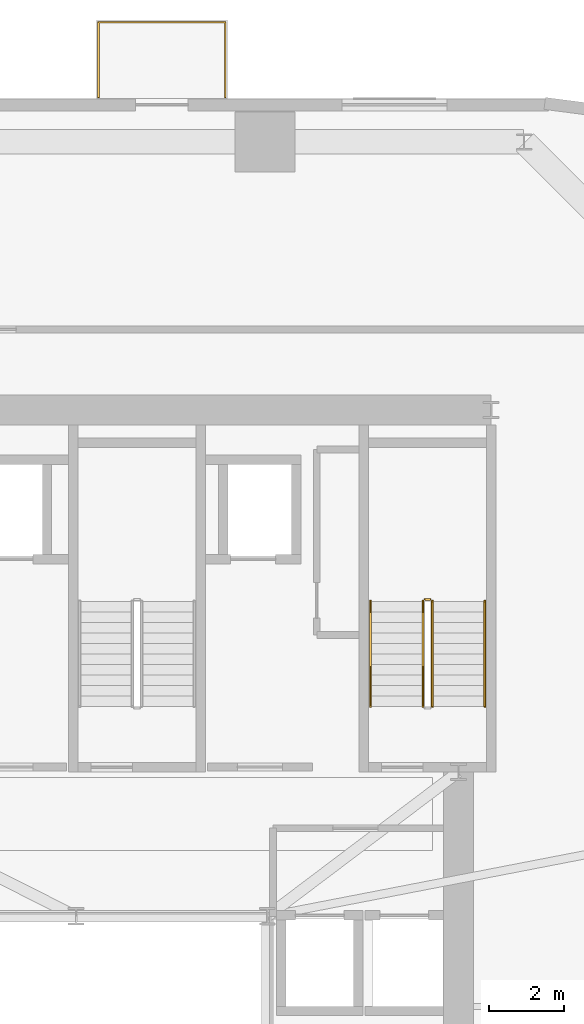
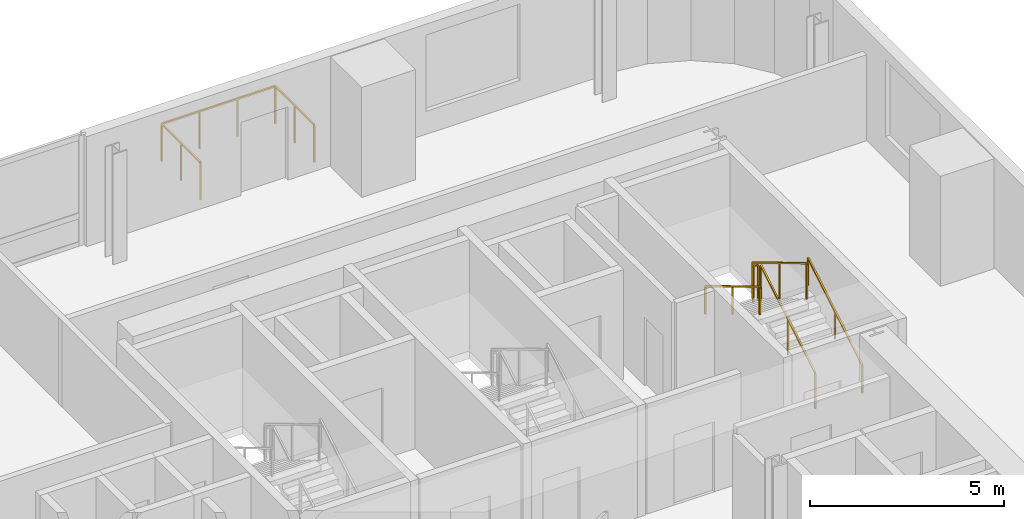
# One storey, part 14 of 14: 6 railings.
"""IFC4 building model written with IfcOpenShell, lengths in metres."""

from ifc_helpers import new_model, si_unit, direction, frame, origin, origin_2d, place, context, subcontext, project, spatial, rectangle, extrude, source, transform, mapped, material, type_object, element, save


model = new_model("IFC4")

# Units and contexts
model_context = context("Model", 3, precision=1e-05, world=origin(), true_north=direction((0.0, 1.0)))
body_context = subcontext(model_context, "Body", "Model", "MODEL_VIEW")
ifc_project = project(units=[si_unit("LENGTHUNIT", "METRE"), si_unit("AREAUNIT", "SQUARE_METRE"), si_unit("VOLUMEUNIT", "CUBIC_METRE"), si_unit("PLANEANGLEUNIT", "RADIAN"), si_unit("MASSUNIT", "GRAM", prefix="KILO")], contexts=[model_context])

# Site, building, storey
site_placement = place(None, origin())
site = spatial("IfcSite", under=ifc_project, at=site_placement, CompositionType="ELEMENT")
building_placement = place(site_placement, origin())
building = spatial("IfcBuilding", under=site, at=building_placement, Name="Vardaveli Station Tower", CompositionType="ELEMENT")
storey_placement = place(building_placement, frame((0.0, 0.0, 111.300048828125)))
storey = spatial("IfcBuildingStorey", under=building, at=storey_placement, Name="L28", CompositionType="ELEMENT", Elevation=111.300048828125)

# Railings
ifc_material_1 = material(Name="Laminated glass and stainless steel balustrade", Category="steel")
railing_type_1 = type_object("IfcRailingType", Name="RL-BAL-1200", PredefinedType="BALUSTRADE", material=ifc_material_1)
shared_shape_1 = source(origin(), body_context, "Body", "SweptSolid", [
    extrude(rectangle(XDim=0.048095703125, YDim=0.048095703125, at=origin_2d()), frame((0.0, 0.0, 1.17578125), z_axis=(0.0, 1.0, 0.0), x_axis=(-1.0, 0.0, 0.0)), (0.0, 0.0, 1.0), 2.0),
    extrude(rectangle(XDim=0.048095703125, YDim=0.048095703125, at=origin_2d()), frame((0.0, 2.0, 1.17578125), z_axis=(1.0, 0.0, 0.0), x_axis=(0.0, 1.0, 0.0)), (0.0, 0.0, 1.0), 3.3798828125),
    extrude(rectangle(XDim=0.048095703125, YDim=0.048095703125, at=origin_2d()), frame((3.3798828125, 2.0, 1.17578125), z_axis=(0.0, -1.0, 0.0), x_axis=(1.0, 0.0, 0.0)), (0.0, 0.0, 1.0), 2.0),
    extrude(rectangle(XDim=0.0419921875, YDim=0.0419921875, at=origin_2d()), origin(), (0.0, 0.0, 1.0), 1.15185546875),
    extrude(rectangle(XDim=0.0419921875, YDim=0.0419921875, at=origin_2d()), frame((0.0, 1.0, 0.0)), (0.0, 0.0, 1.0), 1.15185546875),
    extrude(rectangle(XDim=0.0419921875, YDim=0.0419921875, at=origin_2d()), frame((0.0, 2.0, 0.0)), (0.0, 0.0, 1.0), 1.15185546875),
    extrude(rectangle(XDim=0.0419921875, YDim=0.0419921875, at=origin_2d()), frame((1.126708984375, 2.0, 0.0)), (0.0, 0.0, 1.0), 1.15185546875),
    extrude(rectangle(XDim=0.0419921875, YDim=0.0419921875, at=origin_2d()), frame((2.253173828125, 2.0, 0.0)), (0.0, 0.0, 1.0), 1.15185546875),
    extrude(rectangle(XDim=0.0419921875, YDim=0.0419921875, at=origin_2d()), frame((3.3798828125, 2.0, 0.0)), (0.0, 0.0, 1.0), 1.15185546875),
    extrude(rectangle(XDim=0.0419921875, YDim=0.0419921875, at=origin_2d()), frame((3.3798828125, 1.0, 0.0)), (0.0, 0.0, 1.0), 1.15185546875),
    extrude(rectangle(XDim=0.0419921875, YDim=0.0419921875, at=origin_2d()), frame((3.3798828125, 0.0, 0.0)), (0.0, 0.0, 1.0), 1.15185546875),
])
railing_1_placement = place(storey_placement, frame((36.899658203125, 48.639892578125, 0.0)))
element("IfcRailing", 1, at=railing_1_placement, inside=storey, type_object=railing_type_1, Name="RL-LOG-L28-02", PredefinedType="BALUSTRADE", context=body_context, shape_type="MappedRepresentation", body=[
    mapped(shared_shape_1, transform((0.0, 0.0, 0.0), scale=1.0)),
])
ifc_material_2 = material(Name="Brushed AISI 316 stainless steel", Category="steel")
railing_type_2 = type_object("IfcRailingType", Name="RL-GUARD-1150", PredefinedType="GUARDRAIL", material=ifc_material_2)
shared_shape_2 = source(origin(), body_context, "Body", "SweptSolid", [
    extrude(rectangle(XDim=0.048095703125, YDim=0.048095703125, at=origin_2d()), frame((0.0, 0.0, 1.1259765625), z_axis=(-1.0, 0.0, 0.0), x_axis=(0.0, -1.0, 0.0)), (0.0, 0.0, 1.0), 0.14990234375),
    extrude(rectangle(XDim=0.0419921875, YDim=0.0419921875, at=origin_2d()), origin(), (0.0, 0.0, 1.0), 1.101806640625),
    extrude(rectangle(XDim=0.0419921875, YDim=0.0419921875, at=origin_2d()), frame((-0.14990234375, 0.0, 0.0)), (0.0, 0.0, 1.0), 1.101806640625),
])
railing_2_placement = place(storey_placement, frame((45.75, 35.25, 1.849853515625)))
element("IfcRailing", 2, at=railing_2_placement, inside=storey, type_object=railing_type_2, Name="L28 ST-3 stair guard 2", PredefinedType="GUARDRAIL", context=body_context, shape_type="MappedRepresentation", body=[
    mapped(shared_shape_2, transform((0.0, 0.0, 0.0), scale=1.0)),
])
shared_shape_3 = source(origin(), body_context, "Body", "SweptSolid", [
    extrude(rectangle(XDim=0.048095703125, YDim=0.048095703125, at=origin_2d()), frame((0.0, 0.0, 1.1259765625), z_axis=(0.0, 0.857275202839, 0.514858452973), x_axis=(-1.0, 0.0, 0.0)), (0.0, 0.0, 1.0), 3.26611328125),
    extrude(rectangle(XDim=0.0419921875, YDim=0.0419921875, at=origin_2d()), origin(), (0.0, 0.0, 1.0), 1.101806640625),
    extrude(rectangle(XDim=0.0419921875, YDim=0.0419921875, at=origin_2d()), frame((0.0, 1.39990234375, 0.8408203125)), (0.0, 0.0, 1.0), 1.101806640625),
    extrude(rectangle(XDim=0.0419921875, YDim=0.0419921875, at=origin_2d()), frame((0.0, 2.800048828125, 1.681640625)), (0.0, 0.0, 1.0), 1.101806640625),
])
railing_3_placement = place(storey_placement, frame((45.800048828125, 32.39990234375, 0.168212890625)))
element("IfcRailing", 3, at=railing_3_placement, inside=storey, type_object=railing_type_2, Name="L28 ST-3 stair guard 1", PredefinedType="GUARDRAIL", context=body_context, shape_type="MappedRepresentation", body=[
    mapped(shared_shape_3, transform((0.0, 0.0, 0.0), scale=1.0)),
])
shared_shape_4 = source(origin(), body_context, "Body", "SweptSolid", [
    extrude(rectangle(XDim=0.048095703125, YDim=0.048095703125, at=origin_2d()), frame((0.0, 0.0, 1.1259765625), z_axis=(0.0, -0.857242210791, 0.514913383045), x_axis=(1.0, 0.0, 0.0)), (0.0, 0.0, 1.0), 3.266357421875),
    extrude(rectangle(XDim=0.0419921875, YDim=0.0419921875, at=origin_2d()), origin(), (0.0, 0.0, 1.0), 1.101806640625),
    extrude(rectangle(XDim=0.0419921875, YDim=0.0419921875, at=origin_2d()), frame((0.0, -1.39990234375, 0.8408203125)), (0.0, 0.0, 1.0), 1.101806640625),
    extrude(rectangle(XDim=0.0419921875, YDim=0.0419921875, at=origin_2d()), frame((0.0, -2.800048828125, 1.681884765625)), (0.0, 0.0, 1.0), 1.101806640625),
])
railing_4_placement = place(storey_placement, frame((45.550048828125, 35.199951171875, 2.01806640625)))
element("IfcRailing", 4, at=railing_4_placement, inside=storey, type_object=railing_type_2, Name="L28 ST-3 stair guard 3", PredefinedType="GUARDRAIL", context=body_context, shape_type="MappedRepresentation", body=[
    mapped(shared_shape_4, transform((0.0, 0.0, 0.0), scale=1.0)),
])
railing_type_3 = type_object("IfcRailingType", Name="RL-HAND-900", PredefinedType="HANDRAIL", material=ifc_material_2)
shared_shape_5 = source(origin(), body_context, "Body", "SweptSolid", [
    extrude(rectangle(XDim=0.048095703125, YDim=0.048095703125, at=origin_2d()), frame((0.0, 0.0, 0.8759765625), z_axis=(0.0, 0.857275202839, 0.514858452973), x_axis=(-1.0, 0.0, 0.0)), (0.0, 0.0, 1.0), 3.26611328125),
    extrude(rectangle(XDim=0.0419921875, YDim=0.0419921875, at=origin_2d()), origin(), (0.0, 0.0, 1.0), 0.851806640625),
    extrude(rectangle(XDim=0.0419921875, YDim=0.0419921875, at=origin_2d()), frame((0.0, 1.39990234375, 0.8408203125)), (0.0, 0.0, 1.0), 0.851806640625),
    extrude(rectangle(XDim=0.0419921875, YDim=0.0419921875, at=origin_2d()), frame((0.0, 2.800048828125, 1.681640625)), (0.0, 0.0, 1.0), 0.851806640625),
])
railing_5_placement = place(storey_placement, frame((47.199951171875, 32.39990234375, 0.168212890625)))
element("IfcRailing", 5, at=railing_5_placement, inside=storey, type_object=railing_type_3, Name="L28 ST-3 stair handrail 1", PredefinedType="HANDRAIL", context=body_context, shape_type="MappedRepresentation", body=[
    mapped(shared_shape_5, transform((0.0, 0.0, 0.0), scale=1.0)),
])
shared_shape_6 = source(origin(), body_context, "Body", "SweptSolid", [
    extrude(rectangle(XDim=0.048095703125, YDim=0.048095703125, at=origin_2d()), frame((0.0, 0.0, 0.8759765625), z_axis=(0.0, -0.857242210791, 0.514913383045), x_axis=(1.0, 0.0, 0.0)), (0.0, 0.0, 1.0), 3.266357421875),
    extrude(rectangle(XDim=0.0419921875, YDim=0.0419921875, at=origin_2d()), origin(), (0.0, 0.0, 1.0), 0.851806640625),
    extrude(rectangle(XDim=0.0419921875, YDim=0.0419921875, at=origin_2d()), frame((0.0, -1.39990234375, 0.8408203125)), (0.0, 0.0, 1.0), 0.851806640625),
    extrude(rectangle(XDim=0.0419921875, YDim=0.0419921875, at=origin_2d()), frame((0.0, -2.800048828125, 1.681884765625)), (0.0, 0.0, 1.0), 0.851806640625),
])
railing_6_placement = place(storey_placement, frame((44.14990234375, 35.199951171875, 2.01806640625)))
element("IfcRailing", 6, at=railing_6_placement, inside=storey, type_object=railing_type_3, Name="L28 ST-3 stair handrail 2", PredefinedType="HANDRAIL", context=body_context, shape_type="MappedRepresentation", body=[
    mapped(shared_shape_6, transform((0.0, 0.0, 0.0), scale=1.0)),
])

save(model, "model.ifc")
